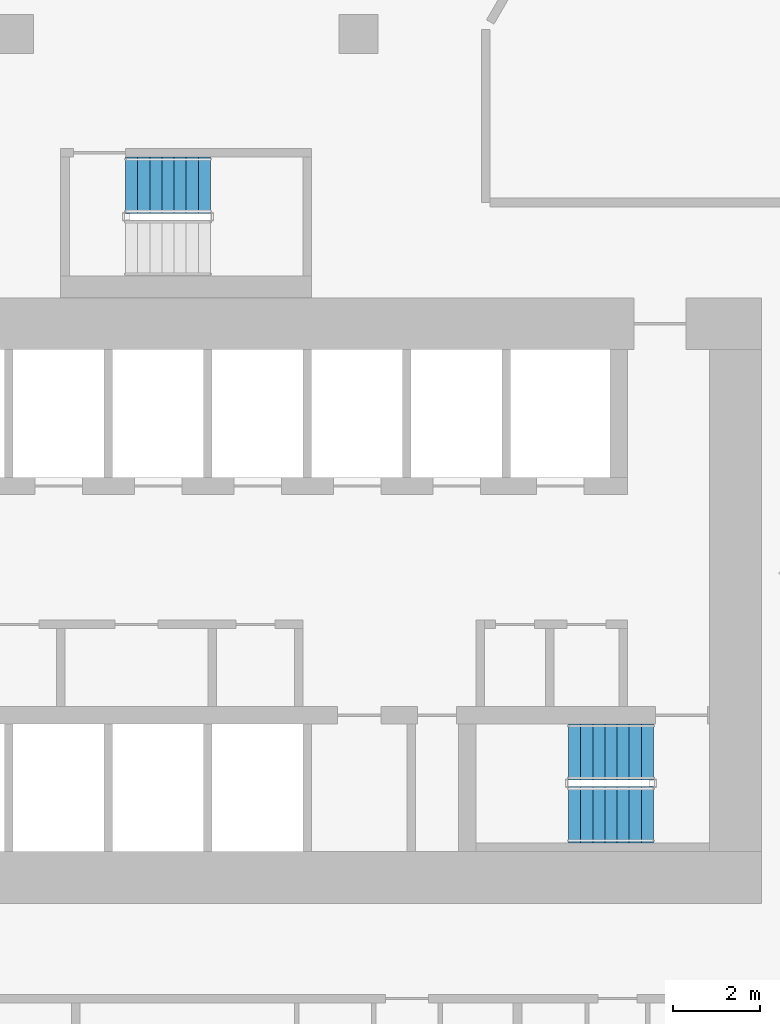
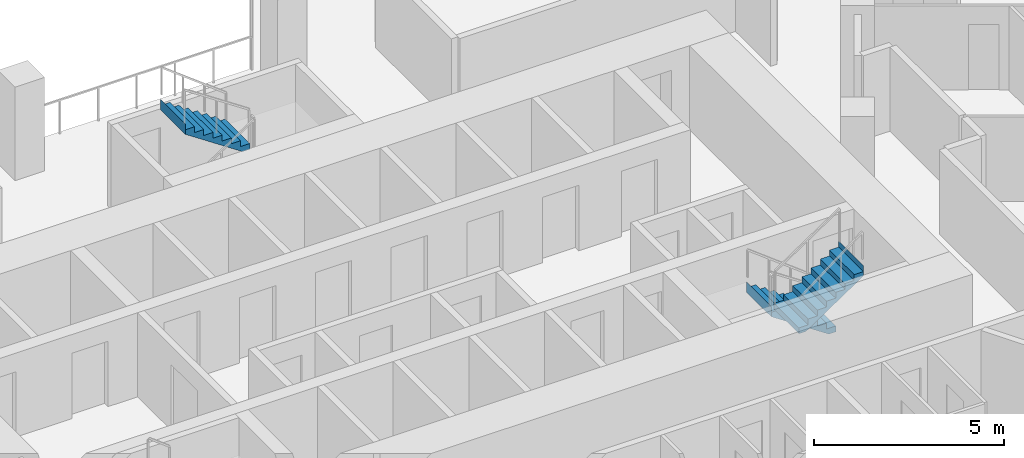
# One storey, part 12 of 16: 3 stair flights, 2 elements without a shape of their own.
"""IFC4 building model written with IfcOpenShell, lengths in metres."""

from ifc_helpers import new_model, si_unit, direction, frame, origin, place, context, subcontext, project, spatial, triangles, material, type_object, element, aggregate, save


model = new_model("IFC4")

# Units and contexts
model_context = context("Model", 3, precision=1e-05, world=origin(), true_north=direction((0.0, 1.0)))
body_context = subcontext(model_context, "Body", "Model", "MODEL_VIEW")
ifc_project = project(units=[si_unit("LENGTHUNIT", "METRE"), si_unit("AREAUNIT", "SQUARE_METRE"), si_unit("VOLUMEUNIT", "CUBIC_METRE"), si_unit("PLANEANGLEUNIT", "RADIAN"), si_unit("MASSUNIT", "GRAM", prefix="KILO")], contexts=[model_context])

# Site, building, storey
site_placement = place(None, origin())
site = spatial("IfcSite", under=ifc_project, at=site_placement, CompositionType="ELEMENT")
building_placement = place(site_placement, origin())
building = spatial("IfcBuilding", under=site, at=building_placement, Name="Beryl Residences", CompositionType="ELEMENT")
storey_placement = place(building_placement, frame((0.0, 0.0, 56.39990234375)))
storey = spatial("IfcBuildingStorey", under=building, at=storey_placement, Name="L17", CompositionType="ELEMENT", Elevation=56.39990234375)

# Stair, stair flights
ifc_material_1 = material(Name="Concrete C40/50", Category="concrete")
stair_type = type_object("IfcStairType", Name="ST1 protected exit stair, half-turn, 1300 mm flights", PredefinedType="HALF_TURN_STAIR", material=ifc_material_1)
stair_1_placement = place(storey_placement, origin())
stair_1 = element("IfcStair", 1, at=stair_1_placement, inside=storey, type_object=stair_type, Name="L17 PROTECTED EXIT STAIR ST-3", PredefinedType="HALF_TURN_STAIR")
ifc_material_2 = material(Name="Concrete C40/50", Category="concrete")
stair_flight_type = type_object("IfcStairFlightType", Name="SF1 stair flight 1300 mm", PredefinedType="STRAIGHT", material=ifc_material_2)
stair_flight_1_placement = place(storey_placement, frame((10.800048828125, -15.5, 0.0), z_axis=(0.0, 0.0, 1.0), x_axis=(-1.0, 0.0, 0.0)))
stair_flight_1 = element("IfcStairFlight", 2, at=stair_flight_1_placement, type_object=stair_flight_type, Name="ST-3 flight 1", NumberOfRisers=8, NumberOfTreads=7, PredefinedType="STRAIGHT", RiserHeight=0.1875, TreadLength=0.28, context=body_context, shape_type="Tessellation", body=[
    triangles([(0.0, -0.64990234375, 0.0), (0.0, -0.324951171875, 0.0), (0.0, 0.0, 0.0), (0.0, 0.324951171875, 0.0), (0.0, 0.64990234375, 0.0), (0.0, -0.64990234375, 0.1875), (0.0, -0.324951171875, 0.1875), (0.0, 0.0, 0.1875), (0.0, 0.324951171875, 0.1875), (0.0, 0.64990234375, 0.1875), (0.280029296875, -0.64990234375, 0.1875), (0.280029296875, -0.324951171875, 0.1875), (0.280029296875, 0.0, 0.1875), (0.280029296875, 0.324951171875, 0.1875), (0.280029296875, 0.64990234375, 0.1875), (0.280029296875, -0.64990234375, 0.375), (0.280029296875, -0.324951171875, 0.375), (0.280029296875, 0.0, 0.375), (0.280029296875, 0.324951171875, 0.375), (0.280029296875, 0.64990234375, 0.375), (0.56005859375, -0.64990234375, 0.375), (0.56005859375, -0.324951171875, 0.375), (0.56005859375, 0.0, 0.375), (0.56005859375, 0.324951171875, 0.375), (0.56005859375, 0.64990234375, 0.375), (0.56005859375, -0.64990234375, 0.5625), (0.56005859375, -0.324951171875, 0.5625), (0.56005859375, 0.0, 0.5625), (0.56005859375, 0.324951171875, 0.5625), (0.56005859375, 0.64990234375, 0.5625), (0.840087890625, -0.64990234375, 0.5625), (0.840087890625, -0.324951171875, 0.5625), (0.840087890625, 0.0, 0.5625), (0.840087890625, 0.324951171875, 0.5625), (0.840087890625, 0.64990234375, 0.5625), (0.840087890625, -0.64990234375, 0.75), (0.840087890625, -0.324951171875, 0.75), (0.840087890625, 0.0, 0.75), (0.840087890625, 0.324951171875, 0.75), (0.840087890625, 0.64990234375, 0.75), (1.1201171875, -0.64990234375, 0.75), (1.1201171875, -0.324951171875, 0.75), (1.1201171875, 0.0, 0.75), (1.1201171875, 0.324951171875, 0.75), (1.1201171875, 0.64990234375, 0.75), (1.1201171875, -0.64990234375, 0.9375), (1.1201171875, -0.324951171875, 0.9375), (1.1201171875, 0.0, 0.9375), (1.1201171875, 0.324951171875, 0.9375), (1.1201171875, 0.64990234375, 0.9375), (1.39990234375, -0.64990234375, 0.9375), (1.39990234375, -0.324951171875, 0.9375), (1.39990234375, 0.0, 0.9375), (1.39990234375, 0.324951171875, 0.9375), (1.39990234375, 0.64990234375, 0.9375), (1.39990234375, -0.64990234375, 1.125), (1.39990234375, -0.324951171875, 1.125), (1.39990234375, 0.0, 1.125), (1.39990234375, 0.324951171875, 1.125), (1.39990234375, 0.64990234375, 1.125), (1.679931640625, -0.64990234375, 1.125), (1.679931640625, -0.324951171875, 1.125), (1.679931640625, 0.0, 1.125), (1.679931640625, 0.324951171875, 1.125), (1.679931640625, 0.64990234375, 1.125), (1.679931640625, -0.64990234375, 1.3125), (1.679931640625, -0.324951171875, 1.3125), (1.679931640625, 0.0, 1.3125), (1.679931640625, 0.324951171875, 1.3125), (1.679931640625, 0.64990234375, 1.3125), (1.9599609375, -0.64990234375, 1.3125), (1.9599609375, -0.324951171875, 1.3125), (1.9599609375, 0.0, 1.3125), (1.9599609375, 0.324951171875, 1.3125), (1.9599609375, 0.64990234375, 1.3125), (1.9599609375, -0.64990234375, 1.5), (1.9599609375, -0.324951171875, 1.5), (1.9599609375, 0.0, 1.5), (1.9599609375, 0.324951171875, 1.5), (1.9599609375, 0.64990234375, 1.5), (1.9609375, -0.64990234375, 1.5), (1.9609375, -0.324951171875, 1.5), (1.9609375, 0.0, 1.5), (1.9609375, 0.324951171875, 1.5), (1.9609375, 0.64990234375, 1.5), (1.9609375, -0.64990234375, 1.16796875), (1.9609375, -0.324951171875, 1.16796875), (1.9609375, 0.0, 1.16796875), (1.9609375, 0.324951171875, 1.16796875), (1.9609375, 0.64990234375, 1.16796875), (0.216796875, -0.64990234375, 0.0), (0.216796875, -0.324951171875, 0.0), (0.216796875, 0.0, 0.0), (0.216796875, 0.324951171875, 0.0), (0.216796875, 0.64990234375, 0.0)], [[1, 6, 7], [1, 7, 2], [2, 7, 8], [2, 8, 3], [3, 8, 9], [3, 9, 4], [4, 9, 10], [4, 10, 5], [6, 11, 12], [6, 12, 7], [7, 12, 13], [7, 13, 8], [8, 13, 14], [8, 14, 9], [9, 14, 15], [9, 15, 10], [11, 16, 17], [11, 17, 12], [12, 17, 18], [12, 18, 13], [13, 18, 19], [13, 19, 14], [14, 19, 20], [14, 20, 15], [16, 21, 22], [16, 22, 17], [17, 22, 23], [17, 23, 18], [18, 23, 24], [18, 24, 19], [19, 24, 25], [19, 25, 20], [21, 26, 27], [21, 27, 22], [22, 27, 28], [22, 28, 23], [23, 28, 29], [23, 29, 24], [24, 29, 30], [24, 30, 25], [26, 31, 32], [26, 32, 27], [27, 32, 33], [27, 33, 28], [28, 33, 34], [28, 34, 29], [29, 34, 35], [29, 35, 30], [31, 36, 37], [31, 37, 32], [32, 37, 38], [32, 38, 33], [33, 38, 39], [33, 39, 34], [34, 39, 40], [34, 40, 35], [36, 41, 42], [36, 42, 37], [37, 42, 43], [37, 43, 38], [38, 43, 44], [38, 44, 39], [39, 44, 45], [39, 45, 40], [41, 46, 47], [41, 47, 42], [42, 47, 48], [42, 48, 43], [43, 48, 49], [43, 49, 44], [44, 49, 50], [44, 50, 45], [46, 51, 52], [46, 52, 47], [47, 52, 53], [47, 53, 48], [48, 53, 54], [48, 54, 49], [49, 54, 55], [49, 55, 50], [51, 56, 57], [51, 57, 52], [52, 57, 58], [52, 58, 53], [53, 58, 59], [53, 59, 54], [54, 59, 60], [54, 60, 55], [56, 61, 62], [56, 62, 57], [57, 62, 63], [57, 63, 58], [58, 63, 64], [58, 64, 59], [59, 64, 65], [59, 65, 60], [61, 66, 67], [61, 67, 62], [62, 67, 68], [62, 68, 63], [63, 68, 69], [63, 69, 64], [64, 69, 70], [64, 70, 65], [66, 71, 72], [66, 72, 67], [67, 72, 73], [67, 73, 68], [68, 73, 74], [68, 74, 69], [69, 74, 75], [69, 75, 70], [71, 76, 77], [71, 77, 72], [72, 77, 78], [72, 78, 73], [73, 78, 79], [73, 79, 74], [74, 79, 80], [74, 80, 75], [76, 81, 82], [76, 82, 77], [77, 82, 83], [77, 83, 78], [78, 83, 84], [78, 84, 79], [79, 84, 85], [79, 85, 80], [81, 86, 87], [81, 87, 82], [82, 87, 88], [82, 88, 83], [83, 88, 89], [83, 89, 84], [84, 89, 90], [84, 90, 85], [86, 91, 92], [86, 92, 87], [87, 92, 93], [87, 93, 88], [88, 93, 94], [88, 94, 89], [89, 94, 95], [89, 95, 90], [91, 1, 2], [91, 2, 92], [92, 2, 3], [92, 3, 93], [93, 3, 4], [93, 4, 94], [94, 4, 5], [94, 5, 95], [1, 91, 86], [5, 90, 95], [86, 81, 76], [90, 80, 85], [86, 76, 71], [90, 75, 80], [86, 71, 66], [90, 70, 75], [86, 66, 61], [90, 65, 70], [61, 56, 51], [65, 55, 60], [86, 61, 51], [90, 55, 65], [51, 46, 41], [55, 45, 50], [86, 51, 41], [90, 45, 55], [41, 36, 31], [45, 35, 40], [86, 41, 31], [90, 35, 45], [31, 26, 21], [35, 25, 30], [86, 31, 21], [90, 25, 35], [21, 16, 11], [25, 15, 20], [86, 21, 11], [90, 15, 25], [1, 86, 11], [5, 15, 90], [11, 6, 1], [15, 5, 10]], closed=True),
])
stair_flight_2_placement = place(storey_placement, frame((8.840087890625, -16.949951171875, 1.5), z_axis=(0.0, 0.0, 1.0), x_axis=(1.0, 0.0, 0.0)))
stair_flight_2 = element("IfcStairFlight", 3, at=stair_flight_2_placement, type_object=stair_flight_type, Name="ST-3 flight 2", NumberOfRisers=8, NumberOfTreads=7, PredefinedType="STRAIGHT", RiserHeight=0.1875, TreadLength=0.28, context=body_context, shape_type="Tessellation", body=[
    triangles([(0.0, -0.64990234375, 0.0), (0.0, -0.324951171875, 0.0), (0.0, 0.0, 0.0), (0.0, 0.324951171875, 0.0), (0.0, 0.64990234375, 0.0), (0.0, -0.64990234375, 0.1875), (0.0, -0.324951171875, 0.1875), (0.0, 0.0, 0.1875), (0.0, 0.324951171875, 0.1875), (0.0, 0.64990234375, 0.1875), (0.280029296875, -0.64990234375, 0.1875), (0.280029296875, -0.324951171875, 0.1875), (0.280029296875, 0.0, 0.1875), (0.280029296875, 0.324951171875, 0.1875), (0.280029296875, 0.64990234375, 0.1875), (0.280029296875, -0.64990234375, 0.375), (0.280029296875, -0.324951171875, 0.375), (0.280029296875, 0.0, 0.375), (0.280029296875, 0.324951171875, 0.375), (0.280029296875, 0.64990234375, 0.375), (0.56005859375, -0.64990234375, 0.375), (0.56005859375, -0.324951171875, 0.375), (0.56005859375, 0.0, 0.375), (0.56005859375, 0.324951171875, 0.375), (0.56005859375, 0.64990234375, 0.375), (0.56005859375, -0.64990234375, 0.5625), (0.56005859375, -0.324951171875, 0.5625), (0.56005859375, 0.0, 0.5625), (0.56005859375, 0.324951171875, 0.5625), (0.56005859375, 0.64990234375, 0.5625), (0.840087890625, -0.64990234375, 0.5625), (0.840087890625, -0.324951171875, 0.5625), (0.840087890625, 0.0, 0.5625), (0.840087890625, 0.324951171875, 0.5625), (0.840087890625, 0.64990234375, 0.5625), (0.840087890625, -0.64990234375, 0.75), (0.840087890625, -0.324951171875, 0.75), (0.840087890625, 0.0, 0.75), (0.840087890625, 0.324951171875, 0.75), (0.840087890625, 0.64990234375, 0.75), (1.1201171875, -0.64990234375, 0.75), (1.1201171875, -0.324951171875, 0.75), (1.1201171875, 0.0, 0.75), (1.1201171875, 0.324951171875, 0.75), (1.1201171875, 0.64990234375, 0.75), (1.1201171875, -0.64990234375, 0.9375), (1.1201171875, -0.324951171875, 0.9375), (1.1201171875, 0.0, 0.9375), (1.1201171875, 0.324951171875, 0.9375), (1.1201171875, 0.64990234375, 0.9375), (1.39990234375, -0.64990234375, 0.9375), (1.39990234375, -0.324951171875, 0.9375), (1.39990234375, 0.0, 0.9375), (1.39990234375, 0.324951171875, 0.9375), (1.39990234375, 0.64990234375, 0.9375), (1.39990234375, -0.64990234375, 1.125), (1.39990234375, -0.324951171875, 1.125), (1.39990234375, 0.0, 1.125), (1.39990234375, 0.324951171875, 1.125), (1.39990234375, 0.64990234375, 1.125), (1.679931640625, -0.64990234375, 1.125), (1.679931640625, -0.324951171875, 1.125), (1.679931640625, 0.0, 1.125), (1.679931640625, 0.324951171875, 1.125), (1.679931640625, 0.64990234375, 1.125), (1.679931640625, -0.64990234375, 1.3125), (1.679931640625, -0.324951171875, 1.3125), (1.679931640625, 0.0, 1.3125), (1.679931640625, 0.324951171875, 1.3125), (1.679931640625, 0.64990234375, 1.3125), (1.9599609375, -0.64990234375, 1.3125), (1.9599609375, -0.324951171875, 1.3125), (1.9599609375, 0.0, 1.3125), (1.9599609375, 0.324951171875, 1.3125), (1.9599609375, 0.64990234375, 1.3125), (1.9599609375, -0.64990234375, 1.5), (1.9599609375, -0.324951171875, 1.5), (1.9599609375, 0.0, 1.5), (1.9599609375, 0.324951171875, 1.5), (1.9599609375, 0.64990234375, 1.5), (1.9609375, -0.64990234375, 1.5), (1.9609375, -0.324951171875, 1.5), (1.9609375, 0.0, 1.5), (1.9609375, 0.324951171875, 1.5), (1.9609375, 0.64990234375, 1.5), (1.9609375, -0.64990234375, 1.16796875), (1.9609375, -0.324951171875, 1.16796875), (1.9609375, 0.0, 1.16796875), (1.9609375, 0.324951171875, 1.16796875), (1.9609375, 0.64990234375, 1.16796875), (0.216796875, -0.64990234375, 0.0), (0.216796875, -0.324951171875, 0.0), (0.216796875, 0.0, 0.0), (0.216796875, 0.324951171875, 0.0), (0.216796875, 0.64990234375, 0.0)], [[1, 6, 7], [1, 7, 2], [2, 7, 8], [2, 8, 3], [3, 8, 9], [3, 9, 4], [4, 9, 10], [4, 10, 5], [6, 11, 12], [6, 12, 7], [7, 12, 13], [7, 13, 8], [8, 13, 14], [8, 14, 9], [9, 14, 15], [9, 15, 10], [11, 16, 17], [11, 17, 12], [12, 17, 18], [12, 18, 13], [13, 18, 19], [13, 19, 14], [14, 19, 20], [14, 20, 15], [16, 21, 22], [16, 22, 17], [17, 22, 23], [17, 23, 18], [18, 23, 24], [18, 24, 19], [19, 24, 25], [19, 25, 20], [21, 26, 27], [21, 27, 22], [22, 27, 28], [22, 28, 23], [23, 28, 29], [23, 29, 24], [24, 29, 30], [24, 30, 25], [26, 31, 32], [26, 32, 27], [27, 32, 33], [27, 33, 28], [28, 33, 34], [28, 34, 29], [29, 34, 35], [29, 35, 30], [31, 36, 37], [31, 37, 32], [32, 37, 38], [32, 38, 33], [33, 38, 39], [33, 39, 34], [34, 39, 40], [34, 40, 35], [36, 41, 42], [36, 42, 37], [37, 42, 43], [37, 43, 38], [38, 43, 44], [38, 44, 39], [39, 44, 45], [39, 45, 40], [41, 46, 47], [41, 47, 42], [42, 47, 48], [42, 48, 43], [43, 48, 49], [43, 49, 44], [44, 49, 50], [44, 50, 45], [46, 51, 52], [46, 52, 47], [47, 52, 53], [47, 53, 48], [48, 53, 54], [48, 54, 49], [49, 54, 55], [49, 55, 50], [51, 56, 57], [51, 57, 52], [52, 57, 58], [52, 58, 53], [53, 58, 59], [53, 59, 54], [54, 59, 60], [54, 60, 55], [56, 61, 62], [56, 62, 57], [57, 62, 63], [57, 63, 58], [58, 63, 64], [58, 64, 59], [59, 64, 65], [59, 65, 60], [61, 66, 67], [61, 67, 62], [62, 67, 68], [62, 68, 63], [63, 68, 69], [63, 69, 64], [64, 69, 70], [64, 70, 65], [66, 71, 72], [66, 72, 67], [67, 72, 73], [67, 73, 68], [68, 73, 74], [68, 74, 69], [69, 74, 75], [69, 75, 70], [71, 76, 77], [71, 77, 72], [72, 77, 78], [72, 78, 73], [73, 78, 79], [73, 79, 74], [74, 79, 80], [74, 80, 75], [76, 81, 82], [76, 82, 77], [77, 82, 83], [77, 83, 78], [78, 83, 84], [78, 84, 79], [79, 84, 85], [79, 85, 80], [81, 86, 87], [81, 87, 82], [82, 87, 88], [82, 88, 83], [83, 88, 89], [83, 89, 84], [84, 89, 90], [84, 90, 85], [86, 91, 92], [86, 92, 87], [87, 92, 93], [87, 93, 88], [88, 93, 94], [88, 94, 89], [89, 94, 95], [89, 95, 90], [91, 1, 2], [91, 2, 92], [92, 2, 3], [92, 3, 93], [93, 3, 4], [93, 4, 94], [94, 4, 5], [94, 5, 95], [1, 91, 86], [5, 90, 95], [86, 81, 76], [90, 80, 85], [86, 76, 71], [90, 75, 80], [86, 71, 66], [90, 70, 75], [86, 66, 61], [90, 65, 70], [61, 56, 51], [65, 55, 60], [86, 61, 51], [90, 55, 65], [51, 46, 41], [55, 45, 50], [86, 51, 41], [90, 45, 55], [41, 36, 31], [45, 35, 40], [86, 41, 31], [90, 35, 45], [31, 26, 21], [35, 25, 30], [86, 31, 21], [90, 25, 35], [21, 16, 11], [25, 15, 20], [86, 21, 11], [90, 15, 25], [1, 86, 11], [5, 15, 90], [11, 6, 1], [15, 5, 10]], closed=True),
])
aggregate(stair_1, [stair_flight_1, stair_flight_2])

# Stair, stair flight
stair_2_placement = place(storey_placement, origin())
stair_2 = element("IfcStair", 4, at=stair_2_placement, inside=storey, type_object=stair_type, Name="L17 PROTECTED EXIT STAIR ST-4", PredefinedType="HALF_TURN_STAIR")
stair_flight_3_placement = place(storey_placement, frame((0.56005859375, -2.39990234375, 1.5), z_axis=(0.0, 0.0, 1.0), x_axis=(-1.0, 0.0, 0.0)))
stair_flight_3 = element("IfcStairFlight", 5, at=stair_flight_3_placement, type_object=stair_flight_type, Name="ST-4 flight 2", NumberOfRisers=8, NumberOfTreads=7, PredefinedType="STRAIGHT", RiserHeight=0.1875, TreadLength=0.28, context=body_context, shape_type="Tessellation", body=[
    triangles([(0.0, -0.64990234375, 0.0), (0.0, -0.324951171875, 0.0), (0.0, 0.0, 0.0), (0.0, 0.324951171875, 0.0), (0.0, 0.64990234375, 0.0), (0.0, -0.64990234375, 0.1875), (0.0, -0.324951171875, 0.1875), (0.0, 0.0, 0.1875), (0.0, 0.324951171875, 0.1875), (0.0, 0.64990234375, 0.1875), (0.280029296875, -0.64990234375, 0.1875), (0.280029296875, -0.324951171875, 0.1875), (0.280029296875, 0.0, 0.1875), (0.280029296875, 0.324951171875, 0.1875), (0.280029296875, 0.64990234375, 0.1875), (0.280029296875, -0.64990234375, 0.375), (0.280029296875, -0.324951171875, 0.375), (0.280029296875, 0.0, 0.375), (0.280029296875, 0.324951171875, 0.375), (0.280029296875, 0.64990234375, 0.375), (0.56005859375, -0.64990234375, 0.375), (0.56005859375, -0.324951171875, 0.375), (0.56005859375, 0.0, 0.375), (0.56005859375, 0.324951171875, 0.375), (0.56005859375, 0.64990234375, 0.375), (0.56005859375, -0.64990234375, 0.5625), (0.56005859375, -0.324951171875, 0.5625), (0.56005859375, 0.0, 0.5625), (0.56005859375, 0.324951171875, 0.5625), (0.56005859375, 0.64990234375, 0.5625), (0.840087890625, -0.64990234375, 0.5625), (0.840087890625, -0.324951171875, 0.5625), (0.840087890625, 0.0, 0.5625), (0.840087890625, 0.324951171875, 0.5625), (0.840087890625, 0.64990234375, 0.5625), (0.840087890625, -0.64990234375, 0.75), (0.840087890625, -0.324951171875, 0.75), (0.840087890625, 0.0, 0.75), (0.840087890625, 0.324951171875, 0.75), (0.840087890625, 0.64990234375, 0.75), (1.1201171875, -0.64990234375, 0.75), (1.1201171875, -0.324951171875, 0.75), (1.1201171875, 0.0, 0.75), (1.1201171875, 0.324951171875, 0.75), (1.1201171875, 0.64990234375, 0.75), (1.1201171875, -0.64990234375, 0.9375), (1.1201171875, -0.324951171875, 0.9375), (1.1201171875, 0.0, 0.9375), (1.1201171875, 0.324951171875, 0.9375), (1.1201171875, 0.64990234375, 0.9375), (1.39990234375, -0.64990234375, 0.9375), (1.39990234375, -0.324951171875, 0.9375), (1.39990234375, 0.0, 0.9375), (1.39990234375, 0.324951171875, 0.9375), (1.39990234375, 0.64990234375, 0.9375), (1.39990234375, -0.64990234375, 1.125), (1.39990234375, -0.324951171875, 1.125), (1.39990234375, 0.0, 1.125), (1.39990234375, 0.324951171875, 1.125), (1.39990234375, 0.64990234375, 1.125), (1.679931640625, -0.64990234375, 1.125), (1.679931640625, -0.324951171875, 1.125), (1.679931640625, 0.0, 1.125), (1.679931640625, 0.324951171875, 1.125), (1.679931640625, 0.64990234375, 1.125), (1.679931640625, -0.64990234375, 1.3125), (1.679931640625, -0.324951171875, 1.3125), (1.679931640625, 0.0, 1.3125), (1.679931640625, 0.324951171875, 1.3125), (1.679931640625, 0.64990234375, 1.3125), (1.9599609375, -0.64990234375, 1.3125), (1.9599609375, -0.324951171875, 1.3125), (1.9599609375, 0.0, 1.3125), (1.9599609375, 0.324951171875, 1.3125), (1.9599609375, 0.64990234375, 1.3125), (1.9599609375, -0.64990234375, 1.5), (1.9599609375, -0.324951171875, 1.5), (1.9599609375, 0.0, 1.5), (1.9599609375, 0.324951171875, 1.5), (1.9599609375, 0.64990234375, 1.5), (1.9609375, -0.64990234375, 1.5), (1.9609375, -0.324951171875, 1.5), (1.9609375, 0.0, 1.5), (1.9609375, 0.324951171875, 1.5), (1.9609375, 0.64990234375, 1.5), (1.9609375, -0.64990234375, 1.16796875), (1.9609375, -0.324951171875, 1.16796875), (1.9609375, 0.0, 1.16796875), (1.9609375, 0.324951171875, 1.16796875), (1.9609375, 0.64990234375, 1.16796875), (0.216796875, -0.64990234375, 0.0), (0.216796875, -0.324951171875, 0.0), (0.216796875, 0.0, 0.0), (0.216796875, 0.324951171875, 0.0), (0.216796875, 0.64990234375, 0.0)], [[1, 6, 7], [1, 7, 2], [2, 7, 8], [2, 8, 3], [3, 8, 9], [3, 9, 4], [4, 9, 10], [4, 10, 5], [6, 11, 12], [6, 12, 7], [7, 12, 13], [7, 13, 8], [8, 13, 14], [8, 14, 9], [9, 14, 15], [9, 15, 10], [11, 16, 17], [11, 17, 12], [12, 17, 18], [12, 18, 13], [13, 18, 19], [13, 19, 14], [14, 19, 20], [14, 20, 15], [16, 21, 22], [16, 22, 17], [17, 22, 23], [17, 23, 18], [18, 23, 24], [18, 24, 19], [19, 24, 25], [19, 25, 20], [21, 26, 27], [21, 27, 22], [22, 27, 28], [22, 28, 23], [23, 28, 29], [23, 29, 24], [24, 29, 30], [24, 30, 25], [26, 31, 32], [26, 32, 27], [27, 32, 33], [27, 33, 28], [28, 33, 34], [28, 34, 29], [29, 34, 35], [29, 35, 30], [31, 36, 37], [31, 37, 32], [32, 37, 38], [32, 38, 33], [33, 38, 39], [33, 39, 34], [34, 39, 40], [34, 40, 35], [36, 41, 42], [36, 42, 37], [37, 42, 43], [37, 43, 38], [38, 43, 44], [38, 44, 39], [39, 44, 45], [39, 45, 40], [41, 46, 47], [41, 47, 42], [42, 47, 48], [42, 48, 43], [43, 48, 49], [43, 49, 44], [44, 49, 50], [44, 50, 45], [46, 51, 52], [46, 52, 47], [47, 52, 53], [47, 53, 48], [48, 53, 54], [48, 54, 49], [49, 54, 55], [49, 55, 50], [51, 56, 57], [51, 57, 52], [52, 57, 58], [52, 58, 53], [53, 58, 59], [53, 59, 54], [54, 59, 60], [54, 60, 55], [56, 61, 62], [56, 62, 57], [57, 62, 63], [57, 63, 58], [58, 63, 64], [58, 64, 59], [59, 64, 65], [59, 65, 60], [61, 66, 67], [61, 67, 62], [62, 67, 68], [62, 68, 63], [63, 68, 69], [63, 69, 64], [64, 69, 70], [64, 70, 65], [66, 71, 72], [66, 72, 67], [67, 72, 73], [67, 73, 68], [68, 73, 74], [68, 74, 69], [69, 74, 75], [69, 75, 70], [71, 76, 77], [71, 77, 72], [72, 77, 78], [72, 78, 73], [73, 78, 79], [73, 79, 74], [74, 79, 80], [74, 80, 75], [76, 81, 82], [76, 82, 77], [77, 82, 83], [77, 83, 78], [78, 83, 84], [78, 84, 79], [79, 84, 85], [79, 85, 80], [81, 86, 87], [81, 87, 82], [82, 87, 88], [82, 88, 83], [83, 88, 89], [83, 89, 84], [84, 89, 90], [84, 90, 85], [86, 91, 92], [86, 92, 87], [87, 92, 93], [87, 93, 88], [88, 93, 94], [88, 94, 89], [89, 94, 95], [89, 95, 90], [91, 1, 2], [91, 2, 92], [92, 2, 3], [92, 3, 93], [93, 3, 4], [93, 4, 94], [94, 4, 5], [94, 5, 95], [1, 91, 86], [5, 90, 95], [86, 81, 76], [90, 80, 85], [86, 76, 71], [90, 75, 80], [86, 71, 66], [90, 70, 75], [86, 66, 61], [90, 65, 70], [61, 56, 51], [65, 55, 60], [86, 61, 51], [90, 55, 65], [51, 46, 41], [55, 45, 50], [86, 51, 41], [90, 45, 55], [41, 36, 31], [45, 35, 40], [86, 41, 31], [90, 35, 45], [31, 26, 21], [35, 25, 30], [86, 31, 21], [90, 25, 35], [21, 16, 11], [25, 15, 20], [86, 21, 11], [90, 15, 25], [1, 86, 11], [5, 15, 90], [11, 6, 1], [15, 5, 10]], closed=True),
])
aggregate(stair_2, [stair_flight_3])

save(model, "model.ifc")
